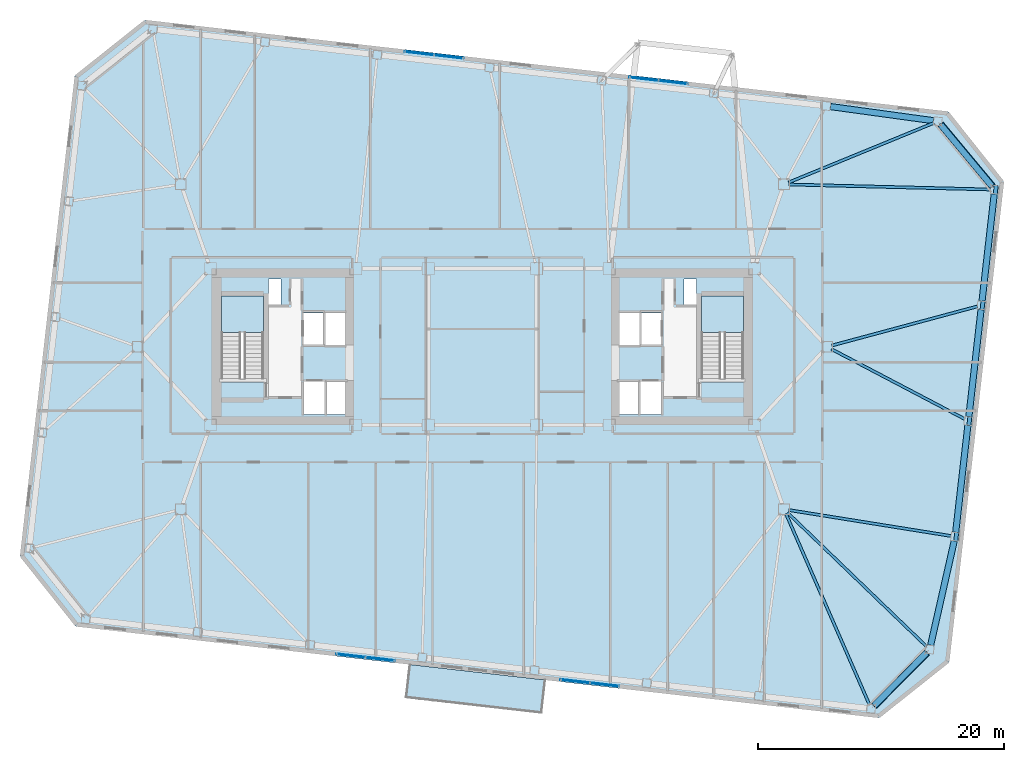
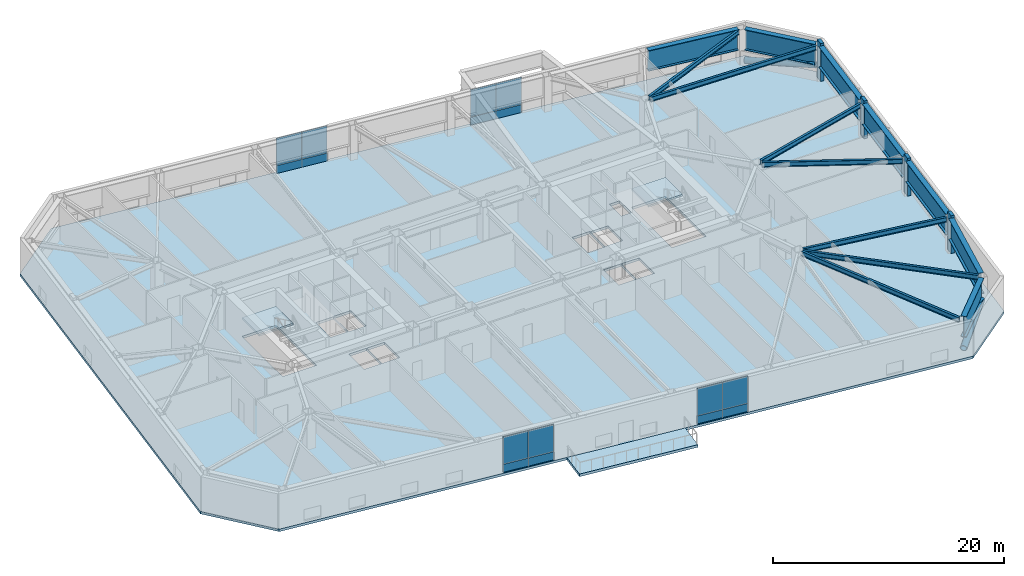
# One storey, part 10 of 21: 16 plates, 14 beams, 6 members, 4 slabs, 6 elements without a shape of their own.
"""IFC4 building model written with IfcOpenShell, lengths in metres."""

from ifc_helpers import new_model, si_unit, direction, frame, origin, origin_2d, place, context, subcontext, project, spatial, polyline, rectangle, hollow_circle, i_section, outline, extrude, material, layer, layer_set, material_profile, profile_set, type_object, element, aggregate, save


model = new_model("IFC4")

# Units and contexts
model_context = context("Model", 3, precision=1e-05, world=origin(), true_north=direction((0.0, 1.0)))
body_context = subcontext(model_context, "Body", "Model", "MODEL_VIEW")
ifc_project = project(units=[si_unit("LENGTHUNIT", "METRE"), si_unit("AREAUNIT", "SQUARE_METRE"), si_unit("VOLUMEUNIT", "CUBIC_METRE"), si_unit("PLANEANGLEUNIT", "RADIAN"), si_unit("MASSUNIT", "GRAM", prefix="KILO")], contexts=[model_context])

# Site, building, storey
site_placement = place(None, origin())
site = spatial("IfcSite", under=ifc_project, at=site_placement, CompositionType="ELEMENT")
building_placement = place(site_placement, origin())
building = spatial("IfcBuilding", under=site, at=building_placement, Name="Tavrogorsk Clinical Tower", CompositionType="ELEMENT")
storey_placement = place(building_placement, frame((0.0, 0.0, 109.39990234375)))
storey = spatial("IfcBuildingStorey", under=building, at=storey_placement, Name="L24", CompositionType="ELEMENT", Elevation=109.39990234375)

# Members
ifc_material_1 = material(Name="Structural steel S440", Category="steel")
ifc_material_profile_1 = material_profile(ifc_material_1, hollow_circle(Radius=0.304931640625, WallThickness=0.02490234375, at=origin_2d()), Name="CHS-610x25")
ifc_profile_set_1 = profile_set([ifc_material_profile_1], Name="Structural steel S440")
member_type_1 = type_object("IfcMemberType", Name="ExoBrace_CHS610", PredefinedType="BRACE", material=ifc_profile_set_1)
member_1_placement = place(storey_placement, frame((31.830810546875, -29.150146484375, 0.362060546875), z_axis=(0.692281564108, 0.700499851874, 0.173338378672), x_axis=(-0.711266774518, 0.702922168854, 0.0)))
element("IfcMember", 1, at=member_1_placement, inside=storey, type_object=member_type_1, Name="L24 Corner Exoskeleton Brace S8-E1", PredefinedType="BRACE", context=body_context, shape_type="SweptSolid", body=[
    extrude(hollow_circle(Radius=0.304931640625, WallThickness=0.02490234375, at=origin_2d()), origin(), (0.0, 0.0, 1.0), 6.1494140625),
])
member_2_placement = place(storey_placement, frame((37.22265625, 18.05224609375, 0.3583984375), z_axis=(0.631704544011, -0.757986321749, 0.162499554204), x_axis=(0.768196718547, 0.640213871776, 0.0)))
element("IfcMember", 2, at=member_2_placement, inside=storey, type_object=member_type_1, Name="L24 Corner Exoskeleton Brace E5-N1", PredefinedType="BRACE", context=body_context, shape_type="SweptSolid", body=[
    extrude(hollow_circle(Radius=0.304931640625, WallThickness=0.02490234375, at=origin_2d()), origin(), (0.0, 0.0, 1.0), 6.606201171875),
])

# Beams
ifc_material_2 = material(Name="Structural steel S355", Category="steel")
ifc_material_profile_2 = material_profile(ifc_material_2, i_section(OverallWidth=0.219970703125, OverallDepth=0.5, WebThickness=0.012939453125, FlangeThickness=0.02001953125, at=origin_2d()), Name="B-500x220x13x20")
ifc_profile_set_2 = profile_set([ifc_material_profile_2], Name="Structural steel S355")
beam_type_1 = type_object("IfcBeamType", Name="FloorBeam_B500", PredefinedType="BEAM", material=ifc_profile_set_2)
beam_1_placement = place(storey_placement, frame((24.664306640625, -13.57568359375, 3.489990234375), z_axis=(0.400586354613, -0.916259009504, 0.0), x_axis=(0.916259009504, 0.400586354613, 0.0)))
element("IfcBeam", 3, at=beam_1_placement, inside=storey, type_object=beam_type_1, Name="L24 Radial Floor Beam S8", PredefinedType="BEAM", context=body_context, shape_type="SweptSolid", body=[
    extrude(i_section(OverallWidth=0.219970703125, OverallDepth=0.5, WebThickness=0.012939453125, FlangeThickness=0.02001953125, at=origin_2d()), origin(), (0.0, 0.0, 1.0), 16.91357421875),
])
beam_2_placement = place(storey_placement, frame((24.87939453125, 13.35546875, 3.489990234375), z_axis=(0.925250223374, 0.379357383143, 0.0), x_axis=(-0.379357383143, 0.925250223374, 0.0)))
element("IfcBeam", 4, at=beam_2_placement, inside=storey, type_object=beam_type_1, Name="L24 Radial Floor Beam N1", PredefinedType="BEAM", context=body_context, shape_type="SweptSolid", body=[
    extrude(i_section(OverallWidth=0.219970703125, OverallDepth=0.5, WebThickness=0.012939453125, FlangeThickness=0.02001953125, at=origin_2d()), origin(), (0.0, 0.0, 1.0), 12.738037109375),
])
beam_3_placement = place(storey_placement, frame((24.79541015625, -13.484375, 3.489990234375), z_axis=(0.720494740362, -0.693460401977, 0.0), x_axis=(0.693460401977, 0.720494740362, 0.0)))
element("IfcBeam", 5, at=beam_3_placement, inside=storey, type_object=beam_type_1, Name="L24 Radial Floor Beam E1", PredefinedType="BEAM", context=body_context, shape_type="SweptSolid", body=[
    extrude(i_section(OverallWidth=0.219970703125, OverallDepth=0.5, WebThickness=0.012939453125, FlangeThickness=0.02001953125, at=origin_2d()), origin(), (0.0, 0.0, 1.0), 15.659423828125),
])
beam_4_placement = place(storey_placement, frame((24.90478515625, -13.2646484375, 3.489990234375), z_axis=(0.987456527754, -0.157891120067, 0.0), x_axis=(0.157891120067, 0.987456527754, 0.0)))
element("IfcBeam", 6, at=beam_4_placement, inside=storey, type_object=beam_type_1, Name="L24 Radial Floor Beam E2", PredefinedType="BEAM", context=body_context, shape_type="SweptSolid", body=[
    extrude(i_section(OverallWidth=0.219970703125, OverallDepth=0.5, WebThickness=0.012939453125, FlangeThickness=0.02001953125, at=origin_2d()), origin(), (0.0, 0.0, 1.0), 13.31787109375),
])
beam_5_placement = place(storey_placement, frame((28.363037109375, -0.1904296875, 3.489990234375), z_axis=(0.885467298335, -0.464701693111, 0.0), x_axis=(0.464701693111, 0.885467298335, 0.0)))
element("IfcBeam", 7, at=beam_5_placement, inside=storey, type_object=beam_type_1, Name="L24 Radial Floor Beam E3", PredefinedType="BEAM", context=body_context, shape_type="SweptSolid", body=[
    extrude(i_section(OverallWidth=0.219970703125, OverallDepth=0.5, WebThickness=0.012939453125, FlangeThickness=0.02001953125, at=origin_2d()), origin(), (0.0, 0.0, 1.0), 12.197021484375),
])
beam_6_placement = place(storey_placement, frame((28.39599609375, 0.1064453125, 3.489990234375), z_axis=(0.965705720144, 0.259639099677, 0.0), x_axis=(-0.259639099677, 0.965705720144, 0.0)))
element("IfcBeam", 8, at=beam_6_placement, inside=storey, type_object=beam_type_1, Name="L24 Radial Floor Beam E4", PredefinedType="BEAM", context=body_context, shape_type="SweptSolid", body=[
    extrude(i_section(OverallWidth=0.219970703125, OverallDepth=0.5, WebThickness=0.012939453125, FlangeThickness=0.02001953125, at=origin_2d()), origin(), (0.0, 0.0, 1.0), 12.228759765625),
])
beam_7_placement = place(storey_placement, frame((24.909912109375, 13.189697265625, 3.489990234375), z_axis=(0.999690121031, -0.024893009314, 0.0), x_axis=(0.024893009314, 0.999690121031, 0.0)))
element("IfcBeam", 9, at=beam_7_placement, inside=storey, type_object=beam_type_1, Name="L24 Radial Floor Beam E5", PredefinedType="BEAM", context=body_context, shape_type="SweptSolid", body=[
    extrude(i_section(OverallWidth=0.219970703125, OverallDepth=0.5, WebThickness=0.012939453125, FlangeThickness=0.02001953125, at=origin_2d()), origin(), (0.0, 0.0, 1.0), 16.359130859375),
])

# Members
ifc_material_3 = material(Name="Precast concrete B45 with limestone cladding", Category="masonry")
ifc_material_profile_3 = material_profile(ifc_material_3, rectangle(XDim=0.320068359375, YDim=0.719970703125, at=origin_2d()), Name="LIMESTONE-FIN-320x720")
ifc_profile_set_3 = profile_set([ifc_material_profile_3], Name="Precast concrete B45 with limestone cladding")
member_type_2 = type_object("IfcMemberType", Name="LimestonePleatFin_320x720", PredefinedType="USERDEFINED", material=ifc_profile_set_3)
for number, where, z_axis, x_axis, name in (
    (10, (38.48876953125, -15.432861328125, 0.0), (0.0, 0.0, 1.0), (0.993571855677, -0.113203213768, 0.0), "L24 E Pleated Stone Fin 1"),
    (11, (39.5595703125, -6.03369140625, 0.0), (0.0, 0.0, 1.0), (0.993571855677, -0.113203213768, 0.0), "L24 E Pleated Stone Fin 2"),
    (12, (40.63037109375, 3.365234375, 0.0), (0.0, 0.0, 1.0), (0.993571855677, -0.113203213768, 0.0), "L24 E Pleated Stone Fin 3"),
    (13, (41.701416015625, 12.7646484375, 0.0), (0.0, 0.0, 1.0), (0.993571855677, -0.113203213768, 0.0), "L24 E Pleated Stone Fin 4"),
):
    element("IfcMember", number, at=place(storey_placement, frame(where, z_axis=z_axis, x_axis=x_axis)), inside=storey, type_object=member_type_2, Name=name, ObjectType="FIN", PredefinedType="USERDEFINED", context=body_context, shape_type="SweptSolid", body=[
        extrude(rectangle(XDim=0.320068359375, YDim=0.719970703125, at=origin_2d()), origin(), (0.0, 0.0, 1.0), 4.0),
    ])

# Beams
ifc_material_4 = material(Name="Structural steel S440", Category="steel")
ifc_material_profile_4 = material_profile(ifc_material_4, i_section(OverallWidth=0.5, OverallDepth=2.199951171875, WebThickness=0.035888671875, FlangeThickness=0.054931640625, at=origin_2d()), Name="DK-2200x500x36x55")
ifc_profile_set_4 = profile_set([ifc_material_profile_4], Name="Structural steel S440")
beam_type_2 = type_object("IfcBeamType", Name="TransferGirder_DK2200", PredefinedType="USERDEFINED", material=ifc_profile_set_4)
beam_8_placement = place(storey_placement, frame((31.834716796875, -29.146240234375, 2.64013671875), z_axis=(0.702934929184, 0.711254163667, 0.0), x_axis=(-0.711254163667, 0.702934929184, 0.0)))
element("IfcBeam", 14, at=beam_8_placement, inside=storey, type_object=beam_type_2, Name="L24 Perimeter Spandrel S8-E1", ObjectType="GIRDER", PredefinedType="USERDEFINED", context=body_context, shape_type="SweptSolid", body=[
    extrude(i_section(OverallWidth=0.5, OverallDepth=2.199951171875, WebThickness=0.035888671875, FlangeThickness=0.054931640625, at=origin_2d()), origin(), (0.0, 0.0, 1.0), 6.04541015625),
])
beam_9_placement = place(storey_placement, frame((36.414794921875, -24.242431640625, 2.64013671875), z_axis=(0.220602599501, 0.975363774749, 0.0), x_axis=(-0.975363774749, 0.220602599501, 0.0)))
element("IfcBeam", 15, at=beam_9_placement, inside=storey, type_object=beam_type_2, Name="L24 Perimeter Spandrel E1-E2", ObjectType="GIRDER", PredefinedType="USERDEFINED", context=body_context, shape_type="SweptSolid", body=[
    extrude(i_section(OverallWidth=0.5, OverallDepth=2.199951171875, WebThickness=0.035888671875, FlangeThickness=0.054931640625, at=origin_2d()), origin(), (0.0, 0.0, 1.0), 8.68310546875),
])
for number, where, z_axis, x_axis, name in (
    (16, (38.44970703125, -15.068115234375, 2.64013671875), (0.113192226434, 0.993573107464, 0.0), (-0.993573107464, 0.113192226434, 0.0), "L24 Perimeter Spandrel E2-E3"),
    (17, (39.520751953125, -5.6689453125, 2.64013671875), (0.113192226434, 0.993573107464, 0.0), (-0.993573107464, 0.113192226434, 0.0), "L24 Perimeter Spandrel E3-E4"),
):
    element("IfcBeam", number, at=place(storey_placement, frame(where, z_axis=z_axis, x_axis=x_axis)), inside=storey, type_object=beam_type_2, Name=name, ObjectType="GIRDER", PredefinedType="USERDEFINED", context=body_context, shape_type="SweptSolid", body=[
        extrude(i_section(OverallWidth=0.5, OverallDepth=2.199951171875, WebThickness=0.035888671875, FlangeThickness=0.054931640625, at=origin_2d()), origin(), (0.0, 0.0, 1.0), 8.743896484375),
    ])
beam_10_placement = place(storey_placement, frame((40.591552734375, 3.72998046875, 2.64013671875), z_axis=(0.113189086379, 0.993573465188, 0.0), x_axis=(-0.993573465188, 0.113189086379, 0.0)))
element("IfcBeam", 18, at=beam_10_placement, inside=storey, type_object=beam_type_2, Name="L24 Perimeter Spandrel E4-E5", ObjectType="GIRDER", PredefinedType="USERDEFINED", context=body_context, shape_type="SweptSolid", body=[
    extrude(i_section(OverallWidth=0.5, OverallDepth=2.199951171875, WebThickness=0.035888671875, FlangeThickness=0.054931640625, at=origin_2d()), origin(), (0.0, 0.0, 1.0), 8.744140625),
])
beam_11_placement = place(storey_placement, frame((41.392578125, 13.048583984375, 2.64013671875), z_axis=(-0.640191778751, 0.768215130299, 0.0), x_axis=(-0.768215130299, -0.640191778751, 0.0)))
element("IfcBeam", 19, at=beam_11_placement, inside=storey, type_object=beam_type_2, Name="L24 Perimeter Spandrel E5-N1", ObjectType="GIRDER", PredefinedType="USERDEFINED", context=body_context, shape_type="SweptSolid", body=[
    extrude(i_section(OverallWidth=0.5, OverallDepth=2.199951171875, WebThickness=0.035888671875, FlangeThickness=0.054931640625, at=origin_2d()), origin(), (0.0, 0.0, 1.0), 6.508544921875),
])
beam_12_placement = place(storey_placement, frame((36.641845703125, 18.3720703125, 2.64013671875), z_axis=(-0.990722121657, 0.135903192232, 0.0), x_axis=(-0.135903192232, -0.990722121657, 0.0)))
element("IfcBeam", 20, at=beam_12_placement, inside=storey, type_object=beam_type_2, Name="L24 Perimeter Spandrel N1-N2", ObjectType="GIRDER", PredefinedType="USERDEFINED", context=body_context, shape_type="SweptSolid", body=[
    extrude(i_section(OverallWidth=0.5, OverallDepth=2.199951171875, WebThickness=0.035888671875, FlangeThickness=0.054931640625, at=origin_2d()), origin(), (0.0, 0.0, 1.0), 8.439697265625),
])

# Curtain wall, plates
ifc_material_5 = material(Name="Anodised aluminium and triple IGU glazing", Category="aluminium")
ifc_layer_1 = layer(ifc_material_5, 0.179931640625)
ifc_layer_set_1 = layer_set([ifc_layer_1], Name="Anodised aluminium and triple IGU glazing")
curtain_wall_type_1 = type_object("IfcCurtainWallType", Name="CW3_SouthSlot", PredefinedType="NOTDEFINED", material=ifc_layer_set_1)
curtain_wall_1_placement = place(storey_placement, origin())
curtain_wall_1 = element("IfcCurtainWall", 21, at=curtain_wall_1_placement, inside=storey, type_object=curtain_wall_type_1, Name="L24 Curtain Wall CW-L24-S-SLOT-1", PredefinedType="NOTDEFINED")
ifc_material_6 = material(Name="Honed Podolsk limestone spandrel panel", Category="masonry")
ifc_layer_2 = layer(ifc_material_6, 0.080078125)
ifc_layer_set_2 = layer_set([ifc_layer_2], Name="Honed Podolsk limestone spandrel panel")
plate_type_1 = type_object("IfcPlateType", Name="CwSpandrelStonePanel_80", PredefinedType="CURTAIN_PANEL", material=ifc_layer_set_2)
plate_1_placement = place(storey_placement, frame((-10.70654296875, -25.095947265625, 0.002197265625), z_axis=(0.0, 0.0, 1.0), x_axis=(0.993571855603, -0.11320321441, 0.0)))
plate_1 = element("IfcPlate", 22, at=plate_1_placement, type_object=plate_type_1, Name="CW-L24-S-SLOT-1 Stone Spandrel Panel 1", PredefinedType="CURTAIN_PANEL", context=body_context, shape_type="SweptSolid", body=[
    extrude(rectangle(XDim=2.39208984375, YDim=0.080078125, at=origin_2d()), origin(), (0.0, 0.0, 1.0), 0.8359375),
])
plate_2_placement = place(storey_placement, frame((-8.30615234375, -25.36962890625, 0.002197265625), z_axis=(0.0, 0.0, 1.0), x_axis=(0.993571855603, -0.11320321441, 0.0)))
plate_2 = element("IfcPlate", 23, at=plate_2_placement, type_object=plate_type_1, Name="CW-L24-S-SLOT-1 Stone Spandrel Panel 2", PredefinedType="CURTAIN_PANEL", context=body_context, shape_type="SweptSolid", body=[
    extrude(rectangle(XDim=2.39208984375, YDim=0.080078125, at=origin_2d()), origin(), (0.0, 0.0, 1.0), 0.8359375),
])

curtain_wall_2_placement = place(storey_placement, origin())
curtain_wall_2 = element("IfcCurtainWall", 24, at=curtain_wall_2_placement, inside=storey, type_object=curtain_wall_type_1, Name="L24 Curtain Wall CW-L24-S-SLOT-2", PredefinedType="NOTDEFINED")
plate_3_placement = place(storey_placement, frame((7.52978515625, -27.173828125, 0.002197265625), z_axis=(0.0, 0.0, 1.0), x_axis=(0.993571858269, -0.113203191016, 0.0)))
plate_3 = element("IfcPlate", 25, at=plate_3_placement, type_object=plate_type_1, Name="CW-L24-S-SLOT-2 Stone Spandrel Panel 1", PredefinedType="CURTAIN_PANEL", context=body_context, shape_type="SweptSolid", body=[
    extrude(rectangle(XDim=2.39208984375, YDim=0.080078125, at=origin_2d()), origin(), (0.0, 0.0, 1.0), 0.8359375),
])
plate_4_placement = place(storey_placement, frame((9.93017578125, -27.447265625, 0.002197265625), z_axis=(0.0, 0.0, 1.0), x_axis=(0.993571858269, -0.113203191016, 0.0)))
plate_4 = element("IfcPlate", 26, at=plate_4_placement, type_object=plate_type_1, Name="CW-L24-S-SLOT-2 Stone Spandrel Panel 2", PredefinedType="CURTAIN_PANEL", context=body_context, shape_type="SweptSolid", body=[
    extrude(rectangle(XDim=2.39208984375, YDim=0.080078125, at=origin_2d()), origin(), (0.0, 0.0, 1.0), 0.8359375),
])

ifc_material_7 = material(Name="Anodised aluminium and triple IGU glazing", Category="aluminium")
ifc_layer_3 = layer(ifc_material_7, 0.179931640625)
ifc_layer_set_3 = layer_set([ifc_layer_3], Name="Anodised aluminium and triple IGU glazing")
curtain_wall_type_2 = type_object("IfcCurtainWallType", Name="CW2_NorthSlot", PredefinedType="NOTDEFINED", material=ifc_layer_set_3)
curtain_wall_3_placement = place(storey_placement, origin())
curtain_wall_3 = element("IfcCurtainWall", 27, at=curtain_wall_3_placement, inside=storey, type_object=curtain_wall_type_2, Name="L24 Curtain Wall CW-L24-N-SLOT-1", PredefinedType="NOTDEFINED")
plate_5_placement = place(storey_placement, frame((-2.729736328125, 23.57373046875, 0.002197265625), z_axis=(0.0, 0.0, 1.0), x_axis=(-0.993571858269, 0.113203191016, 0.0)))
plate_5 = element("IfcPlate", 28, at=plate_5_placement, type_object=plate_type_1, Name="CW-L24-N-SLOT-1 Stone Spandrel Panel 1", PredefinedType="CURTAIN_PANEL", context=body_context, shape_type="SweptSolid", body=[
    extrude(rectangle(XDim=2.39208984375, YDim=0.080078125, at=origin_2d()), origin(), (0.0, 0.0, 1.0), 0.8359375),
])
plate_6_placement = place(storey_placement, frame((-5.130126953125, 23.847412109375, 0.002197265625), z_axis=(0.0, 0.0, 1.0), x_axis=(-0.993571858269, 0.113203191016, 0.0)))
plate_6 = element("IfcPlate", 29, at=plate_6_placement, type_object=plate_type_1, Name="CW-L24-N-SLOT-1 Stone Spandrel Panel 2", PredefinedType="CURTAIN_PANEL", context=body_context, shape_type="SweptSolid", body=[
    extrude(rectangle(XDim=2.39208984375, YDim=0.080078125, at=origin_2d()), origin(), (0.0, 0.0, 1.0), 0.8359375),
])

curtain_wall_4_placement = place(storey_placement, origin())
curtain_wall_4 = element("IfcCurtainWall", 30, at=curtain_wall_4_placement, inside=storey, type_object=curtain_wall_type_2, Name="L24 Curtain Wall CW-L24-N-SLOT-2", PredefinedType="NOTDEFINED")
plate_7_placement = place(storey_placement, frame((15.506591796875, 21.49609375, 0.002197265625), z_axis=(0.0, 0.0, 1.0), x_axis=(-0.993571855603, 0.11320321441, 0.0)))
plate_7 = element("IfcPlate", 31, at=plate_7_placement, type_object=plate_type_1, Name="CW-L24-N-SLOT-2 Stone Spandrel Panel 1", PredefinedType="CURTAIN_PANEL", context=body_context, shape_type="SweptSolid", body=[
    extrude(rectangle(XDim=2.39208984375, YDim=0.080078125, at=origin_2d()), origin(), (0.0, 0.0, 1.0), 0.8359375),
])
plate_8_placement = place(storey_placement, frame((13.106201171875, 21.76953125, 0.002197265625), z_axis=(0.0, 0.0, 1.0), x_axis=(-0.993571855603, 0.11320321441, 0.0)))
plate_8 = element("IfcPlate", 32, at=plate_8_placement, type_object=plate_type_1, Name="CW-L24-N-SLOT-2 Stone Spandrel Panel 2", PredefinedType="CURTAIN_PANEL", context=body_context, shape_type="SweptSolid", body=[
    extrude(rectangle(XDim=2.39208984375, YDim=0.080078125, at=origin_2d()), origin(), (0.0, 0.0, 1.0), 0.8359375),
])

# Plate
ifc_material_8 = material(Name="Triple low-E argon insulated glass", Category="glass")
ifc_layer_4 = layer(ifc_material_8, 0.048095703125)
ifc_layer_set_4 = layer_set([ifc_layer_4], Name="Triple low-E argon insulated glass")
plate_type_2 = type_object("IfcPlateType", Name="CwVisionGlassPanel_48", PredefinedType="CURTAIN_PANEL", material=ifc_layer_set_4)
plate_9_placement = place(storey_placement, frame((-10.70654296875, -25.095947265625, 0.862060546875), z_axis=(0.0, 0.0, 1.0), x_axis=(0.993571855603, -0.11320321441, 0.0)))
plate_9 = element("IfcPlate", 33, at=plate_9_placement, type_object=plate_type_2, Name="CW-L24-S-SLOT-1 Glazing Panel 1", PredefinedType="CURTAIN_PANEL", context=body_context, shape_type="SweptSolid", body=[
    extrude(rectangle(XDim=2.39208984375, YDim=0.048095703125, at=origin_2d()), origin(), (0.0, 0.0, 1.0), 2.8759765625),
])

plate_10_placement = place(storey_placement, frame((-8.30615234375, -25.36962890625, 0.862060546875), z_axis=(0.0, 0.0, 1.0), x_axis=(0.993571855603, -0.11320321441, 0.0)))
plate_10 = element("IfcPlate", 34, at=plate_10_placement, type_object=plate_type_2, Name="CW-L24-S-SLOT-1 Glazing Panel 2", PredefinedType="CURTAIN_PANEL", context=body_context, shape_type="SweptSolid", body=[
    extrude(rectangle(XDim=2.39208984375, YDim=0.048095703125, at=origin_2d()), origin(), (0.0, 0.0, 1.0), 2.8759765625),
])

aggregate(curtain_wall_1, [plate_1, plate_9, plate_2, plate_10])

plate_11_placement = place(storey_placement, frame((7.52978515625, -27.173828125, 0.862060546875), z_axis=(0.0, 0.0, 1.0), x_axis=(0.993571858269, -0.113203191016, 0.0)))
plate_11 = element("IfcPlate", 35, at=plate_11_placement, type_object=plate_type_2, Name="CW-L24-S-SLOT-2 Glazing Panel 1", PredefinedType="CURTAIN_PANEL", context=body_context, shape_type="SweptSolid", body=[
    extrude(rectangle(XDim=2.39208984375, YDim=0.048095703125, at=origin_2d()), origin(), (0.0, 0.0, 1.0), 2.8759765625),
])

plate_12_placement = place(storey_placement, frame((9.93017578125, -27.447265625, 0.862060546875), z_axis=(0.0, 0.0, 1.0), x_axis=(0.993571858269, -0.113203191016, 0.0)))
plate_12 = element("IfcPlate", 36, at=plate_12_placement, type_object=plate_type_2, Name="CW-L24-S-SLOT-2 Glazing Panel 2", PredefinedType="CURTAIN_PANEL", context=body_context, shape_type="SweptSolid", body=[
    extrude(rectangle(XDim=2.39208984375, YDim=0.048095703125, at=origin_2d()), origin(), (0.0, 0.0, 1.0), 2.8759765625),
])

aggregate(curtain_wall_2, [plate_3, plate_11, plate_4, plate_12])

plate_13_placement = place(storey_placement, frame((-2.729736328125, 23.57373046875, 0.862060546875), z_axis=(0.0, 0.0, 1.0), x_axis=(-0.993571858269, 0.113203191016, 0.0)))
plate_13 = element("IfcPlate", 37, at=plate_13_placement, type_object=plate_type_2, Name="CW-L24-N-SLOT-1 Glazing Panel 1", PredefinedType="CURTAIN_PANEL", context=body_context, shape_type="SweptSolid", body=[
    extrude(rectangle(XDim=2.39208984375, YDim=0.048095703125, at=origin_2d()), origin(), (0.0, 0.0, 1.0), 2.8759765625),
])

plate_14_placement = place(storey_placement, frame((-5.130126953125, 23.847412109375, 0.862060546875), z_axis=(0.0, 0.0, 1.0), x_axis=(-0.993571858269, 0.113203191016, 0.0)))
plate_14 = element("IfcPlate", 38, at=plate_14_placement, type_object=plate_type_2, Name="CW-L24-N-SLOT-1 Glazing Panel 2", PredefinedType="CURTAIN_PANEL", context=body_context, shape_type="SweptSolid", body=[
    extrude(rectangle(XDim=2.39208984375, YDim=0.048095703125, at=origin_2d()), origin(), (0.0, 0.0, 1.0), 2.8759765625),
])

aggregate(curtain_wall_3, [plate_5, plate_13, plate_6, plate_14])

plate_15_placement = place(storey_placement, frame((15.506591796875, 21.49609375, 0.862060546875), z_axis=(0.0, 0.0, 1.0), x_axis=(-0.993571855603, 0.11320321441, 0.0)))
plate_15 = element("IfcPlate", 39, at=plate_15_placement, type_object=plate_type_2, Name="CW-L24-N-SLOT-2 Glazing Panel 1", PredefinedType="CURTAIN_PANEL", context=body_context, shape_type="SweptSolid", body=[
    extrude(rectangle(XDim=2.39208984375, YDim=0.048095703125, at=origin_2d()), origin(), (0.0, 0.0, 1.0), 2.8759765625),
])

plate_16_placement = place(storey_placement, frame((13.106201171875, 21.76953125, 0.862060546875), z_axis=(0.0, 0.0, 1.0), x_axis=(-0.993571855603, 0.11320321441, 0.0)))
plate_16 = element("IfcPlate", 40, at=plate_16_placement, type_object=plate_type_2, Name="CW-L24-N-SLOT-2 Glazing Panel 2", PredefinedType="CURTAIN_PANEL", context=body_context, shape_type="SweptSolid", body=[
    extrude(rectangle(XDim=2.39208984375, YDim=0.048095703125, at=origin_2d()), origin(), (0.0, 0.0, 1.0), 2.8759765625),
])

aggregate(curtain_wall_4, [plate_7, plate_15, plate_8, plate_16])

# Stair, slab
ifc_material_9 = material(Name="Concrete B60", Category="concrete")
stair_type = type_object("IfcStairType", Name="CoreStairAssembly", PredefinedType="HALF_TURN_STAIR", material=ifc_material_9)
stair_1_placement = place(storey_placement, origin())
stair_1 = element("IfcStair", 41, at=stair_1_placement, inside=storey, type_object=stair_type, Name="L24 ST-W", PredefinedType="HALF_TURN_STAIR")
ifc_material_10 = material(Name="Concrete B60", Category="concrete")
ifc_layer_5 = layer(ifc_material_10, 0.199951171875)
ifc_layer_set_5 = layer_set([ifc_layer_5], Name="Concrete B60")
slab_type_1 = type_object("IfcSlabType", Name="StairLanding_200", PredefinedType="LANDING", material=ifc_layer_set_5)
slab_1_placement = place(storey_placement, frame((0.0, 0.0, 1.800048828125)))
slab_1 = element("IfcSlab", 42, at=slab_1_placement, type_object=slab_type_1, Name="ST-W landing 1", PredefinedType="LANDING", context=body_context, shape_type="SweptSolid", body=[
    extrude(outline(polyline([(-17.800048828125, 1.1650390625), (-17.800048828125, 4.125), (-21.199951171875, 4.125), (-21.199951171875, 1.1650390625), (-17.800048828125, 1.1650390625)])), origin(), (0.0, 0.0, 1.0), 0.199951171875),
])
aggregate(stair_1, [slab_1])

stair_2_placement = place(storey_placement, origin())
stair_2 = element("IfcStair", 43, at=stair_2_placement, inside=storey, type_object=stair_type, Name="L24 ST-E", PredefinedType="HALF_TURN_STAIR")
slab_2_placement = place(storey_placement, frame((0.0, 0.0, 1.800048828125)))
slab_2 = element("IfcSlab", 44, at=slab_2_placement, type_object=slab_type_1, Name="ST-E landing 1", PredefinedType="LANDING", context=body_context, shape_type="SweptSolid", body=[
    extrude(outline(polyline([(21.199951171875, 1.1650390625), (21.199951171875, 4.125), (17.800048828125, 4.125), (17.800048828125, 1.1650390625), (21.199951171875, 1.1650390625)])), origin(), (0.0, 0.0, 1.0), 0.199951171875),
])
aggregate(stair_2, [slab_2])

# Slabs
ifc_material_11 = material(Name="Concrete B60", Category="concrete")
ifc_layer_6 = layer(ifc_material_11, 0.280029296875)
ifc_layer_set_6 = layer_set([ifc_layer_6], Name="Concrete B60")
slab_type_2 = type_object("IfcSlabType", Name="TerraceRoofSlab_280", PredefinedType="ROOF", material=ifc_layer_set_6)
slab_3_placement = place(storey_placement, frame((0.0, 0.0, -0.27978515625)))
element("IfcSlab", 45, at=slab_3_placement, inside=storey, type_object=slab_type_2, Name="Spiralling Recuperation Terrace Slab", PredefinedType="ROOF", context=body_context, shape_type="SweptSolid", body=[
    extrude(outline(polyline([(4.84521484375, -29.806884765625), (-6.28271484375, -28.5390625), (-5.971435546875, -25.806640625), (5.156494140625, -27.074462890625), (4.84521484375, -29.806884765625)])), origin(), (0.0, 0.0, 1.0), 0.27978515625),
])
ifc_material_12 = material(Name="Concrete B60", Category="concrete")
ifc_layer_7 = layer(ifc_material_12, 0.260009765625)
ifc_layer_set_7 = layer_set([ifc_layer_7], Name="Concrete B60")
slab_type_3 = type_object("IfcSlabType", Name="WardSlab_260", PredefinedType="FLOOR", material=ifc_layer_set_7)
slab_4_placement = place(storey_placement, frame((0.0, 0.0, -0.260009765625)))
element("IfcSlab", 46, at=slab_4_placement, inside=storey, type_object=slab_type_3, Name="L24 Structural Slab", PredefinedType="FLOOR", context=body_context, shape_type="SweptSolid", body=[
    extrude(outline(polyline([(-32.99658203125, -22.7275390625), (32.181640625, -30.153564453125), (37.93701171875, -25.57568359375), (42.37451171875, 13.372314453125), (37.796630859375, 19.12744140625), (-27.381591796875, 26.5537109375), (-33.136962890625, 21.9755859375), (-37.574462890625, -16.972412109375), (-32.99658203125, -22.7275390625)]), holes=[polyline([(-17.800048828125, -2.8798828125), (-17.800048828125, 4.125), (-21.199951171875, 4.125), (-21.199951171875, -2.8798828125), (-17.800048828125, -2.8798828125)]), polyline([(21.199951171875, -2.8798828125), (21.199951171875, 4.125), (17.800048828125, 4.125), (17.800048828125, -2.8798828125), (21.199951171875, -2.8798828125)]), polyline([(-14.6201171875, 0.169921875), (-12.860107421875, 0.169921875), (-12.860107421875, 2.72998046875), (-14.6201171875, 2.72998046875), (-14.6201171875, 0.169921875)]), polyline([(-14.530029296875, -5.47998046875), (-12.77001953125, -5.47998046875), (-12.77001953125, -2.820068359375), (-14.530029296875, -2.820068359375), (-14.530029296875, -5.47998046875)]), polyline([(-12.72998046875, -5.47998046875), (-10.969970703125, -5.47998046875), (-10.969970703125, -2.820068359375), (-12.72998046875, -2.820068359375), (-12.72998046875, -5.47998046875)]), polyline([(-12.840087890625, 0.1201171875), (-11.080078125, 0.1201171875), (-11.080078125, 2.780029296875), (-12.840087890625, 2.780029296875), (-12.840087890625, 0.1201171875)]), polyline([(12.860107421875, 0.169921875), (14.6201171875, 0.169921875), (14.6201171875, 2.72998046875), (12.860107421875, 2.72998046875), (12.860107421875, 0.169921875)]), polyline([(12.77001953125, -5.47998046875), (14.530029296875, -5.47998046875), (14.530029296875, -2.820068359375), (12.77001953125, -2.820068359375), (12.77001953125, -5.47998046875)]), polyline([(10.969970703125, -5.47998046875), (12.72998046875, -5.47998046875), (12.72998046875, -2.820068359375), (10.969970703125, -2.820068359375), (10.969970703125, -5.47998046875)]), polyline([(11.080078125, 0.1201171875), (12.840087890625, 0.1201171875), (12.840087890625, 2.780029296875), (11.080078125, 2.780029296875), (11.080078125, 0.1201171875)]), polyline([(-17.3798828125, 3.449951171875), (-16.3798828125, 3.449951171875), (-16.3798828125, 5.5), (-17.3798828125, 5.5), (-17.3798828125, 3.449951171875)]), polyline([(16.3798828125, 3.449951171875), (17.3798828125, 3.449951171875), (17.3798828125, 5.5), (16.3798828125, 5.5), (16.3798828125, 3.449951171875)])]), origin(), (0.0, 0.0, 1.0), 0.260009765625),
])

save(model, "model.ifc")
